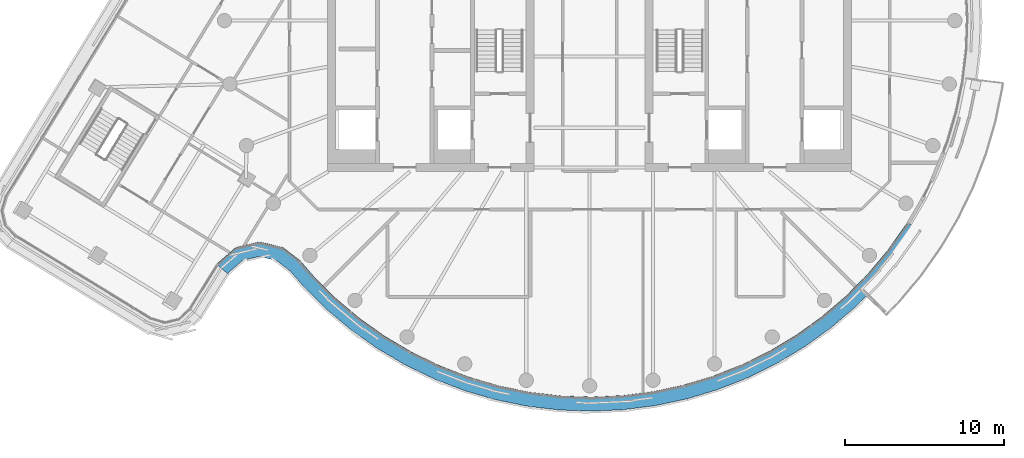
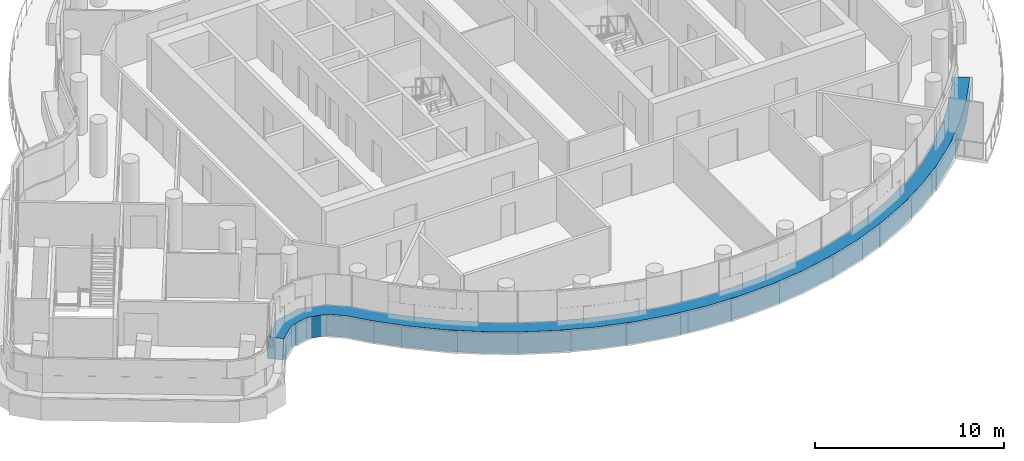
# One storey, part 6 of 27: 1 member, 1 element without a shape of its own.
"""IFC4 building model written with IfcOpenShell, lengths in metres."""

from ifc_helpers import new_model, si_unit, direction, frame, origin, place, context, subcontext, project, spatial, polyline, outline, extrude, material, layer, layer_set, type_object, element, aggregate, save


model = new_model("IFC4")

# Units and contexts
model_context = context("Model", 3, precision=1e-05, world=origin(), true_north=direction((0.0, 1.0)))
body_context = subcontext(model_context, "Body", "Model", "MODEL_VIEW")
ifc_project = project(units=[si_unit("LENGTHUNIT", "METRE"), si_unit("AREAUNIT", "SQUARE_METRE"), si_unit("VOLUMEUNIT", "CUBIC_METRE"), si_unit("PLANEANGLEUNIT", "RADIAN"), si_unit("MASSUNIT", "GRAM", prefix="KILO")], contexts=[model_context])

# Site, building, storey
site_placement = place(None, origin())
site = spatial("IfcSite", under=ifc_project, at=site_placement, CompositionType="ELEMENT")
building_placement = place(site_placement, origin())
building = spatial("IfcBuilding", under=site, at=building_placement, Name="Tamarind Cross Interchange Tower", CompositionType="ELEMENT")
storey_placement = place(building_placement, frame((0.0, 0.0, 245.10009765625)))
storey = spatial("IfcBuildingStorey", under=building, at=storey_placement, Name="L62", CompositionType="ELEMENT", Elevation=245.10009765625)

# Curtain wall, member
ifc_material_1 = material(Name="Aluminium 6063-T6", Category="aluminium")
ifc_layer = layer(ifc_material_1, 0.139892578125)
ifc_layer_set = layer_set([ifc_layer], Name="Aluminium 6063-T6")
curtain_wall_type = type_object("IfcCurtainWallType", Name="Hotel curtain wall, 4.5 m bays", PredefinedType="NOTDEFINED", material=ifc_layer_set)
curtain_wall_placement = place(storey_placement, origin())
curtain_wall = element("IfcCurtainWall", 1, at=curtain_wall_placement, inside=storey, type_object=curtain_wall_type, Name="CWS-L62-06", PredefinedType="NOTDEFINED")
ifc_material_2 = material(Name="Aluminium and insulated spandrel panel", Category="aluminium")
member_type = type_object("IfcMemberType", Name="Floor-edge blade transom", PredefinedType="USERDEFINED", material=ifc_material_2)
member_placement = place(storey_placement, origin())
member = element("IfcMember", 2, at=member_placement, type_object=member_type, Name="CWT-L62-06-0", ObjectType="TRANSOM", PredefinedType="USERDEFINED", context=body_context, shape_type="SweptSolid", body=[
    extrude(outline(polyline([(-23.505615234375, -15.337646484375), (-22.28076171875, -14.2783203125), (-20.795166015625, -13.92333984375), (-19.3203125, -14.281005859375), (-18.2275390625, -15.11767578125), (-17.364501953125, -16.123291015625), (-15.973388671875, -17.50244140625), (-14.4736328125, -18.76171875), (-12.874755859375, -19.892822265625), (-11.188232421875, -20.88818359375), (-9.425048828125, -21.74072265625), (-7.597412109375, -22.444580078125), (-5.718017578125, -22.995361328125), (-3.799560546875, -23.38916015625), (-1.855224609375, -23.623046875), (0.10205078125, -23.695556640625), (2.058349609375, -23.606201171875), (4.000732421875, -23.35546875), (5.915771484375, -22.9453125), (7.790283203125, -22.37841796875), (9.61181640625, -21.65869140625), (11.367431640625, -20.791015625), (13.045654296875, -19.78125), (14.634521484375, -18.636474609375), (16.12353515625, -17.3642578125), (17.50244140625, -15.973388671875), (18.76171875, -14.4736328125), (19.892822265625, -12.874755859375), (19.997314453125, -12.69775390625), (20.757568359375, -13.180419921875), (20.64892578125, -13.3642578125), (19.474853515625, -15.023681640625), (18.167724609375, -16.580810546875), (16.736572265625, -18.0244140625), (15.19091796875, -19.344970703125), (13.54150390625, -20.533203125), (11.799560546875, -21.581298828125), (9.97705078125, -22.482177734375), (8.08642578125, -23.229248046875), (6.140625, -23.817626953125), (4.15283203125, -24.243408203125), (2.13671875, -24.50341796875), (0.10595703125, -24.59619140625), (-1.925537109375, -24.52099609375), (-3.944091796875, -24.2783203125), (-5.935302734375, -23.86962890625), (-7.88623046875, -23.2978515625), (-9.783203125, -22.567138671875), (-11.613525390625, -21.68212890625), (-13.3642578125, -20.64892578125), (-15.023681640625, -19.474853515625), (-16.580810546875, -18.167724609375), (-18.02392578125, -16.73681640625), (-18.849365234375, -15.775146484375), (-19.716796875, -15.11083984375), (-20.796630859375, -14.84912109375), (-21.858154296875, -15.102783203125), (-22.81396484375, -15.929443359375), (-23.505615234375, -15.337646484375)])), origin(), (0.0, 0.0, 1.0), 1.39990234375),
])
aggregate(curtain_wall, [member])

save(model, "model.ifc")
